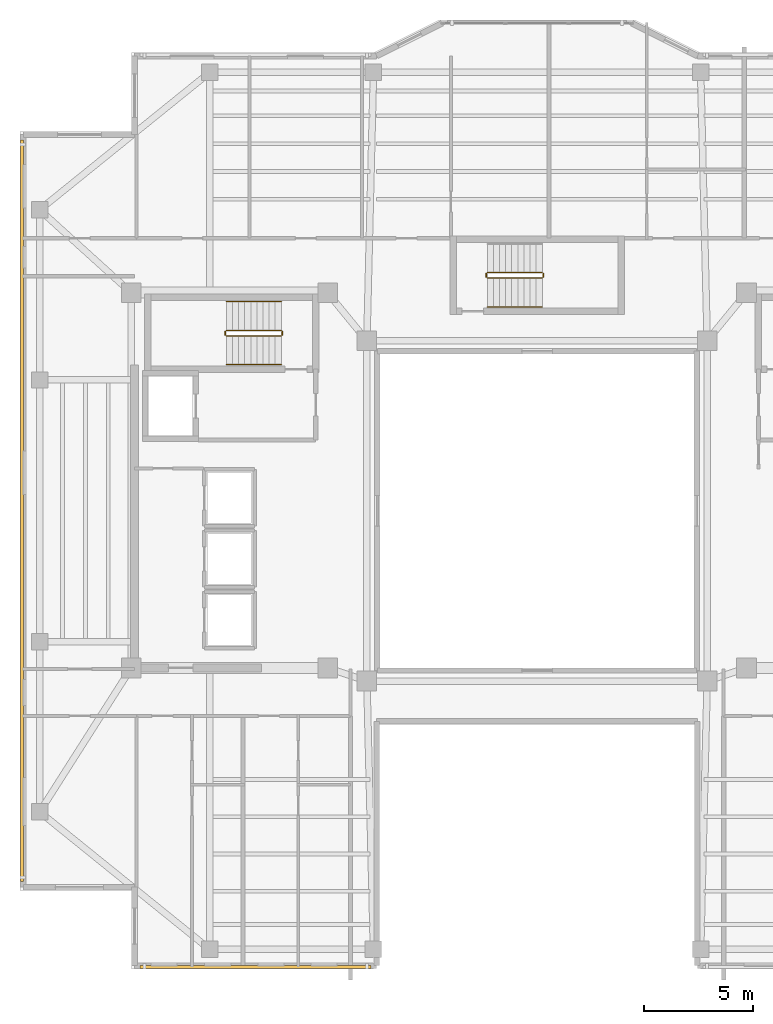
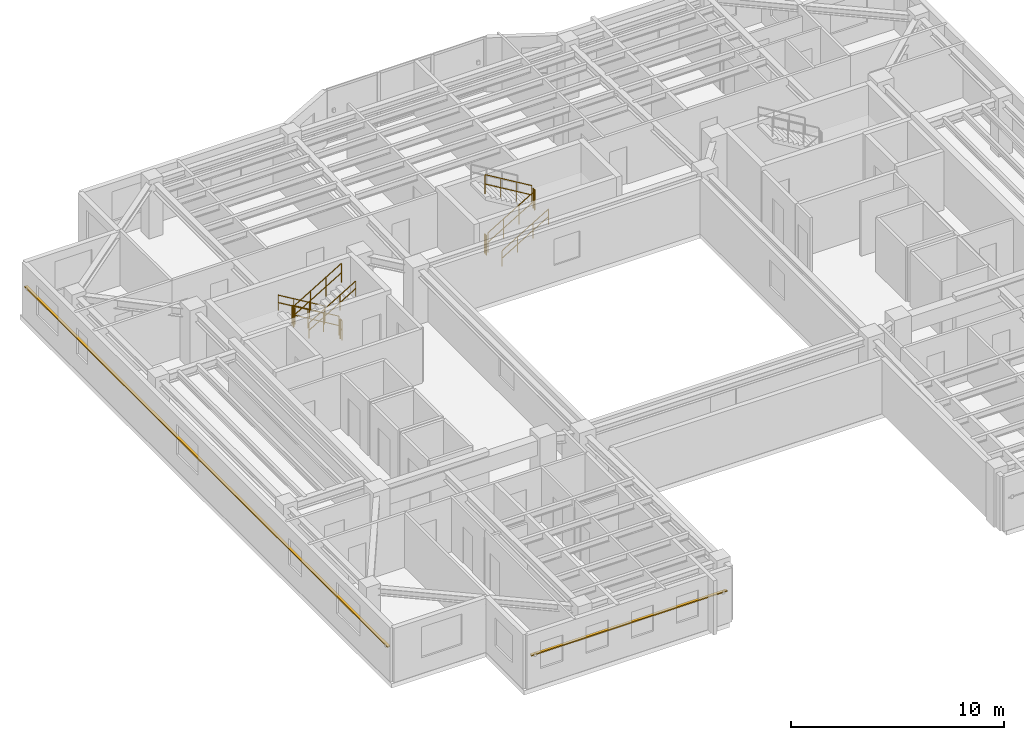
# One storey, part 9 of 11: 11 railings, 2 shading devices.
"""IFC4 building model written with IfcOpenShell, lengths in metres."""

from ifc_helpers import new_model, si_unit, direction, frame, origin, origin_2d, place, context, subcontext, project, spatial, rectangle, circle, extrude, material, material_profile, profile_set, type_object, element, save


model = new_model("IFC4")

# Units and contexts
model_context = context("Model", 3, precision=1e-05, world=origin(), true_north=direction((0.0, 1.0)))
body_context = subcontext(model_context, "Body", "Model", "MODEL_VIEW")
ifc_project = project(units=[si_unit("LENGTHUNIT", "METRE"), si_unit("AREAUNIT", "SQUARE_METRE"), si_unit("VOLUMEUNIT", "CUBIC_METRE"), si_unit("PLANEANGLEUNIT", "RADIAN"), si_unit("MASSUNIT", "GRAM", prefix="KILO")], contexts=[model_context])

# Site, building, storey
site_placement = place(None, origin())
site = spatial("IfcSite", under=ifc_project, at=site_placement, CompositionType="ELEMENT")
building_placement = place(site_placement, origin())
building = spatial("IfcBuilding", under=site, at=building_placement, Name="Tarnavaz Court Tower", CompositionType="ELEMENT")
storey_placement = place(building_placement, frame((0.0, 0.0, 213.699951171875)))
storey = spatial("IfcBuildingStorey", under=building, at=storey_placement, Name="L58", CompositionType="ELEMENT", Elevation=213.699951171875)

# Railings
ifc_material_1 = material(Name="Brushed Stainless Steel", Category="steel")
railing_type_1 = type_object("IfcRailingType", Name="RL-HANDRAIL-900", PredefinedType="HANDRAIL", material=ifc_material_1)
railing_1_placement = place(storey_placement, frame((-11.719970703125, 9.590087890625, 0.16748046875)))
element("IfcRailing", 1, at=railing_1_placement, inside=storey, type_object=railing_type_1, Name="L58 ST-W1 stair handrail 1", PredefinedType="HANDRAIL", context=body_context, shape_type="SweptSolid", body=[
    extrude(circle(Radius=0.02392578125, at=origin_2d()), frame((0.0, 0.0, 0.8759765625), z_axis=(-0.858159760407, 0.0, 0.513382728203), x_axis=(0.0, -1.0, 0.0)), (0.0, 0.0, 1.0), 2.9365234375),
    extrude(circle(Radius=0.02392578125, at=origin_2d()), frame((0.0, 0.0, 0.449951171875), z_axis=(-0.858159760407, 0.0, 0.513382728203), x_axis=(0.0, -1.0, 0.0)), (0.0, 0.0, 1.0), 2.9365234375),
    extrude(circle(Radius=0.02099609375, at=origin_2d()), origin(), (0.0, 0.0, 1.0), 0.851806640625),
    extrude(circle(Radius=0.02099609375, at=origin_2d()), frame((-0.840087890625, 0.0, 0.50244140625)), (0.0, 0.0, 1.0), 0.851806640625),
    extrude(circle(Radius=0.02099609375, at=origin_2d()), frame((-1.679931640625, 0.0, 1.005126953125)), (0.0, 0.0, 1.0), 0.851806640625),
    extrude(circle(Radius=0.02099609375, at=origin_2d()), frame((-2.52001953125, 0.0, 1.507568359375)), (0.0, 0.0, 1.0), 0.851806640625),
])
for number, where, name in (
    (2, (-14.239990234375, 6.699951171875, 1.842529296875), "L58 ST-W1 stair handrail 2"),
    (3, (-2.280029296875, 9.35009765625, 0.16748046875), "L58 ST-N1 stair handrail 1"),
):
    element("IfcRailing", number, at=place(storey_placement, frame(where)), inside=storey, type_object=railing_type_1, Name=name, PredefinedType="HANDRAIL", context=body_context, shape_type="SweptSolid", body=[
        extrude(circle(Radius=0.02392578125, at=origin_2d()), frame((0.0, 0.0, 0.8759765625), z_axis=(0.858159760407, 0.0, 0.513382728203), x_axis=(0.0, 1.0, 0.0)), (0.0, 0.0, 1.0), 2.9365234375),
        extrude(circle(Radius=0.02392578125, at=origin_2d()), frame((0.0, 0.0, 0.449951171875), z_axis=(0.858159760407, 0.0, 0.513382728203), x_axis=(0.0, 1.0, 0.0)), (0.0, 0.0, 1.0), 2.9365234375),
        extrude(circle(Radius=0.02099609375, at=origin_2d()), origin(), (0.0, 0.0, 1.0), 0.851806640625),
        extrude(circle(Radius=0.02099609375, at=origin_2d()), frame((0.840087890625, 0.0, 0.50244140625)), (0.0, 0.0, 1.0), 0.851806640625),
        extrude(circle(Radius=0.02099609375, at=origin_2d()), frame((1.679931640625, 0.0, 1.005126953125)), (0.0, 0.0, 1.0), 0.851806640625),
        extrude(circle(Radius=0.02099609375, at=origin_2d()), frame((2.52001953125, 0.0, 1.507568359375)), (0.0, 0.0, 1.0), 0.851806640625),
    ])
ifc_material_2 = material(Name="Galvanized Painted Tubular Steel", Category="steel")
railing_type_2 = type_object("IfcRailingType", Name="RL-STGUARD-1120", PredefinedType="GUARDRAIL", material=ifc_material_2)
railing_2_placement = place(storey_placement, frame((-11.719970703125, 8.27001953125, 0.16748046875)))
element("IfcRailing", 4, at=railing_2_placement, inside=storey, type_object=railing_type_2, Name="L58 ST-W1 stair guard 1", PredefinedType="GUARDRAIL", context=body_context, shape_type="SweptSolid", body=[
    extrude(circle(Radius=0.02392578125, at=origin_2d()), frame((0.0, 0.0, 1.09619140625), z_axis=(-0.858159760407, 0.0, 0.513382728203), x_axis=(0.0, -1.0, 0.0)), (0.0, 0.0, 1.0), 2.9365234375),
    extrude(circle(Radius=0.02392578125, at=origin_2d()), frame((0.0, 0.0, 0.56005859375), z_axis=(-0.858159760407, 0.0, 0.513382728203), x_axis=(0.0, -1.0, 0.0)), (0.0, 0.0, 1.0), 2.9365234375),
    extrude(circle(Radius=0.02099609375, at=origin_2d()), origin(), (0.0, 0.0, 1.0), 1.072021484375),
    extrude(circle(Radius=0.02099609375, at=origin_2d()), frame((-0.840087890625, 0.0, 0.50244140625)), (0.0, 0.0, 1.0), 1.072021484375),
    extrude(circle(Radius=0.02099609375, at=origin_2d()), frame((-1.679931640625, 0.0, 1.005126953125)), (0.0, 0.0, 1.0), 1.072021484375),
    extrude(circle(Radius=0.02099609375, at=origin_2d()), frame((-2.52001953125, 0.0, 1.507568359375)), (0.0, 0.0, 1.0), 1.072021484375),
])
railing_3_placement = place(storey_placement, frame((-14.2900390625, 8.219970703125, 1.675048828125)))
element("IfcRailing", 5, at=railing_3_placement, inside=storey, type_object=railing_type_2, Name="L58 ST-W1 stair guard 2", PredefinedType="GUARDRAIL", context=body_context, shape_type="SweptSolid", body=[
    extrude(circle(Radius=0.02392578125, at=origin_2d()), frame((0.0, 0.0, 1.09619140625), z_axis=(0.0, -1.0, 0.0), x_axis=(1.0, 0.0, 0.0)), (0.0, 0.0, 1.0), 0.14990234375),
    extrude(circle(Radius=0.02392578125, at=origin_2d()), frame((0.0, 0.0, 0.56005859375), z_axis=(0.0, -1.0, 0.0), x_axis=(1.0, 0.0, 0.0)), (0.0, 0.0, 1.0), 0.14990234375),
    extrude(circle(Radius=0.02099609375, at=origin_2d()), origin(), (0.0, 0.0, 1.0), 1.072021484375),
    extrude(circle(Radius=0.02099609375, at=origin_2d()), frame((0.0, -0.14990234375, 0.0)), (0.0, 0.0, 1.0), 1.072021484375),
])
railing_4_placement = place(storey_placement, frame((-14.239990234375, 8.02001953125, 1.842529296875)))
element("IfcRailing", 6, at=railing_4_placement, inside=storey, type_object=railing_type_2, Name="L58 ST-W1 stair guard 3", PredefinedType="GUARDRAIL", context=body_context, shape_type="SweptSolid", body=[
    extrude(circle(Radius=0.02392578125, at=origin_2d()), frame((0.0, 0.0, 1.09619140625), z_axis=(0.858159760407, 0.0, 0.513382728203), x_axis=(0.0, 1.0, 0.0)), (0.0, 0.0, 1.0), 2.9365234375),
    extrude(circle(Radius=0.02392578125, at=origin_2d()), frame((0.0, 0.0, 0.56005859375), z_axis=(0.858159760407, 0.0, 0.513382728203), x_axis=(0.0, 1.0, 0.0)), (0.0, 0.0, 1.0), 2.9365234375),
    extrude(circle(Radius=0.02099609375, at=origin_2d()), origin(), (0.0, 0.0, 1.0), 1.072021484375),
    extrude(circle(Radius=0.02099609375, at=origin_2d()), frame((0.840087890625, 0.0, 0.50244140625)), (0.0, 0.0, 1.0), 1.072021484375),
    extrude(circle(Radius=0.02099609375, at=origin_2d()), frame((1.679931640625, 0.0, 1.005126953125)), (0.0, 0.0, 1.0), 1.072021484375),
    extrude(circle(Radius=0.02099609375, at=origin_2d()), frame((2.52001953125, 0.0, 1.507568359375)), (0.0, 0.0, 1.0), 1.072021484375),
])
railing_5_placement = place(storey_placement, frame((-11.669921875, 8.219970703125, 0.0)))
element("IfcRailing", 7, at=railing_5_placement, inside=storey, type_object=railing_type_2, Name="L58 ST-W1 stair guard 4", PredefinedType="GUARDRAIL", context=body_context, shape_type="SweptSolid", body=[
    extrude(circle(Radius=0.02392578125, at=origin_2d()), frame((0.0, 0.0, 1.09619140625), z_axis=(0.0, -1.0, 0.0), x_axis=(1.0, 0.0, 0.0)), (0.0, 0.0, 1.0), 0.14990234375),
    extrude(circle(Radius=0.02392578125, at=origin_2d()), frame((0.0, 0.0, 0.56005859375), z_axis=(0.0, -1.0, 0.0), x_axis=(1.0, 0.0, 0.0)), (0.0, 0.0, 1.0), 0.14990234375),
    extrude(circle(Radius=0.02099609375, at=origin_2d()), origin(), (0.0, 0.0, 1.0), 1.072021484375),
    extrude(circle(Radius=0.02099609375, at=origin_2d()), frame((0.0, -0.14990234375, 0.0)), (0.0, 0.0, 1.0), 1.072021484375),
])
railing_6_placement = place(storey_placement, frame((-2.280029296875, 10.669921875, 0.16748046875)))
element("IfcRailing", 8, at=railing_6_placement, inside=storey, type_object=railing_type_2, Name="L58 ST-N1 stair guard 1", PredefinedType="GUARDRAIL", context=body_context, shape_type="SweptSolid", body=[
    extrude(circle(Radius=0.02392578125, at=origin_2d()), frame((0.0, 0.0, 1.09619140625), z_axis=(0.858159760407, 0.0, 0.513382728203), x_axis=(0.0, 1.0, 0.0)), (0.0, 0.0, 1.0), 2.9365234375),
    extrude(circle(Radius=0.02392578125, at=origin_2d()), frame((0.0, 0.0, 0.56005859375), z_axis=(0.858159760407, 0.0, 0.513382728203), x_axis=(0.0, 1.0, 0.0)), (0.0, 0.0, 1.0), 2.9365234375),
    extrude(circle(Radius=0.02099609375, at=origin_2d()), origin(), (0.0, 0.0, 1.0), 1.072021484375),
    extrude(circle(Radius=0.02099609375, at=origin_2d()), frame((0.840087890625, 0.0, 0.50244140625)), (0.0, 0.0, 1.0), 1.072021484375),
    extrude(circle(Radius=0.02099609375, at=origin_2d()), frame((1.679931640625, 0.0, 1.005126953125)), (0.0, 0.0, 1.0), 1.072021484375),
    extrude(circle(Radius=0.02099609375, at=origin_2d()), frame((2.52001953125, 0.0, 1.507568359375)), (0.0, 0.0, 1.0), 1.072021484375),
])
railing_7_placement = place(storey_placement, frame((0.2900390625, 10.719970703125, 1.675048828125)))
element("IfcRailing", 9, at=railing_7_placement, inside=storey, type_object=railing_type_2, Name="L58 ST-N1 stair guard 2", PredefinedType="GUARDRAIL", context=body_context, shape_type="SweptSolid", body=[
    extrude(circle(Radius=0.02392578125, at=origin_2d()), frame((0.0, 0.0, 1.09619140625), z_axis=(0.0, 1.0, 0.0), x_axis=(-1.0, 0.0, 0.0)), (0.0, 0.0, 1.0), 0.150146484375),
    extrude(circle(Radius=0.02392578125, at=origin_2d()), frame((0.0, 0.0, 0.56005859375), z_axis=(0.0, 1.0, 0.0), x_axis=(-1.0, 0.0, 0.0)), (0.0, 0.0, 1.0), 0.150146484375),
    extrude(circle(Radius=0.02099609375, at=origin_2d()), origin(), (0.0, 0.0, 1.0), 1.072021484375),
    extrude(circle(Radius=0.02099609375, at=origin_2d()), frame((0.0, 0.150146484375, 0.0)), (0.0, 0.0, 1.0), 1.072021484375),
])
railing_8_placement = place(storey_placement, frame((0.239990234375, 10.919921875, 1.842529296875)))
element("IfcRailing", 10, at=railing_8_placement, inside=storey, type_object=railing_type_2, Name="L58 ST-N1 stair guard 3", PredefinedType="GUARDRAIL", context=body_context, shape_type="SweptSolid", body=[
    extrude(circle(Radius=0.02392578125, at=origin_2d()), frame((0.0, 0.0, 1.09619140625), z_axis=(-0.858159760407, 0.0, 0.513382728203), x_axis=(0.0, -1.0, 0.0)), (0.0, 0.0, 1.0), 2.9365234375),
    extrude(circle(Radius=0.02392578125, at=origin_2d()), frame((0.0, 0.0, 0.56005859375), z_axis=(-0.858159760407, 0.0, 0.513382728203), x_axis=(0.0, -1.0, 0.0)), (0.0, 0.0, 1.0), 2.9365234375),
    extrude(circle(Radius=0.02099609375, at=origin_2d()), origin(), (0.0, 0.0, 1.0), 1.072021484375),
    extrude(circle(Radius=0.02099609375, at=origin_2d()), frame((-0.840087890625, 0.0, 0.50244140625)), (0.0, 0.0, 1.0), 1.072021484375),
    extrude(circle(Radius=0.02099609375, at=origin_2d()), frame((-1.679931640625, 0.0, 1.005126953125)), (0.0, 0.0, 1.0), 1.072021484375),
    extrude(circle(Radius=0.02099609375, at=origin_2d()), frame((-2.52001953125, 0.0, 1.507568359375)), (0.0, 0.0, 1.0), 1.072021484375),
])
railing_9_placement = place(storey_placement, frame((-2.330078125, 10.719970703125, 0.0)))
element("IfcRailing", 11, at=railing_9_placement, inside=storey, type_object=railing_type_2, Name="L58 ST-N1 stair guard 4", PredefinedType="GUARDRAIL", context=body_context, shape_type="SweptSolid", body=[
    extrude(circle(Radius=0.02392578125, at=origin_2d()), frame((0.0, 0.0, 1.09619140625), z_axis=(0.0, 1.0, 0.0), x_axis=(-1.0, 0.0, 0.0)), (0.0, 0.0, 1.0), 0.150146484375),
    extrude(circle(Radius=0.02392578125, at=origin_2d()), frame((0.0, 0.0, 0.56005859375), z_axis=(0.0, 1.0, 0.0), x_axis=(-1.0, 0.0, 0.0)), (0.0, 0.0, 1.0), 0.150146484375),
    extrude(circle(Radius=0.02099609375, at=origin_2d()), origin(), (0.0, 0.0, 1.0), 1.072021484375),
    extrude(circle(Radius=0.02099609375, at=origin_2d()), frame((0.0, 0.150146484375, 0.0)), (0.0, 0.0, 1.0), 1.072021484375),
])

# Shading devices
ifc_material_3 = material(Name="Kiln-Fired Khorasan Terracotta Ceramic", Category="masonry")
ifc_material_profile = material_profile(ifc_material_3, rectangle(XDim=0.14990234375, YDim=0.06494140625, at=origin_2d()), Name="TC BAGUETTE 150X65")
ifc_profile_set = profile_set([ifc_material_profile], Name="Kiln-Fired Khorasan Terracotta Ceramic")
shading_device_type = type_object("IfcShadingDeviceType", Name="SD-BAG-150", PredefinedType="USERDEFINED", material=ifc_profile_set)
shading_device_1_placement = place(storey_placement, frame((-23.610107421875, -17.0, 1.85009765625), z_axis=(0.0, 1.0, 0.0), x_axis=(-1.0, 0.0, 0.0)))
element("IfcShadingDevice", 12, at=shading_device_1_placement, inside=storey, type_object=shading_device_type, Name="L58 Terracotta Baguette Screen FBG02", ObjectType="BAGUETTE", PredefinedType="USERDEFINED", context=body_context, shape_type="SweptSolid", body=[
    extrude(rectangle(XDim=0.14990234375, YDim=0.06494140625, at=origin_2d()), origin(), (0.0, 0.0, 1.0), 34.0),
])
shading_device_2_placement = place(storey_placement, frame((-7.60009765625, -20.909912109375, 1.85009765625), z_axis=(-1.0, 0.0, 0.0), x_axis=(0.0, -1.0, 0.0)))
element("IfcShadingDevice", 13, at=shading_device_2_placement, inside=storey, type_object=shading_device_type, Name="L58 Terracotta Baguette Screen FBG19", ObjectType="BAGUETTE", PredefinedType="USERDEFINED", context=body_context, shape_type="SweptSolid", body=[
    extrude(rectangle(XDim=0.14990234375, YDim=0.06494140625, at=origin_2d()), origin(), (0.0, 0.0, 1.0), 10.599853515625),
])

save(model, "model.ifc")
